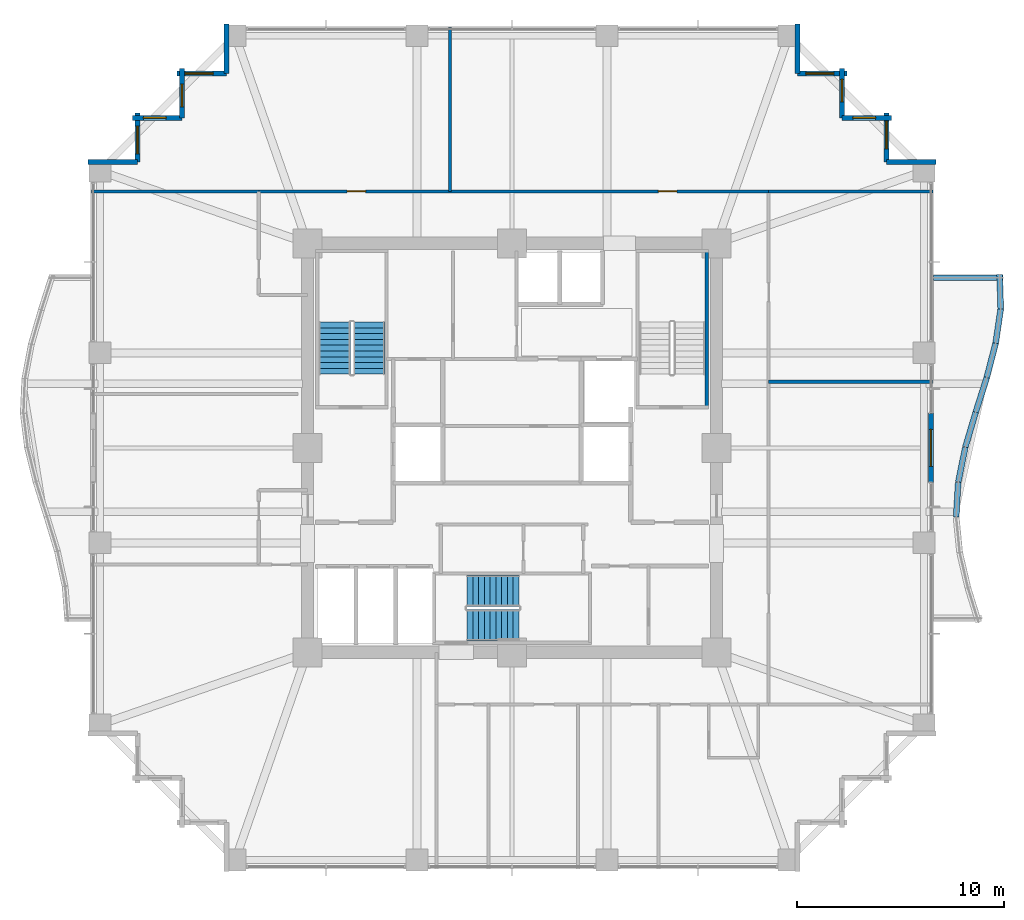
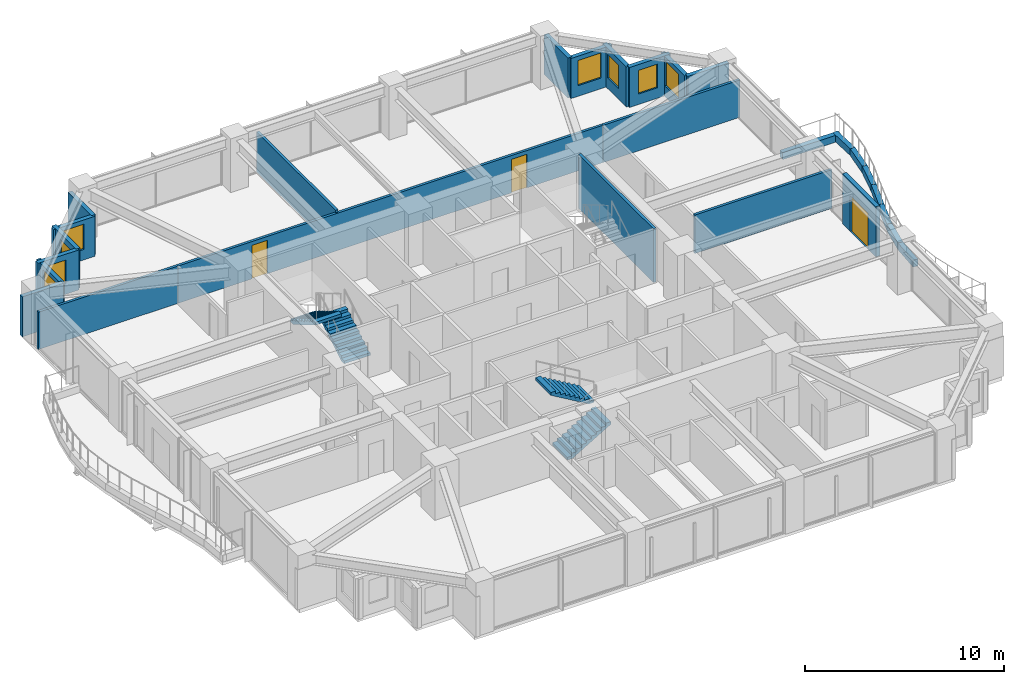
# One storey, part 33 of 36: 27 walls, 8 windows, 4 stair flights, 3 doors, 11 openings, 2 elements without a shape of their own.
"""IFC4 building model written with IfcOpenShell, lengths in metres."""

from ifc_helpers import new_model, si_unit, direction, frame, frame_2d, origin, place, context, subcontext, project, spatial, polyline, rectangle, outline, extrude, material, layer, layer_set, type_object, element, fill, aggregate, save


model = new_model("IFC4")

# Units and contexts
model_context = context("Model", 3, precision=1e-05, world=origin(), true_north=direction((0.0, 1.0)))
body_context = subcontext(model_context, "Body", "Model", "MODEL_VIEW")
ifc_project = project(units=[si_unit("LENGTHUNIT", "METRE"), si_unit("AREAUNIT", "SQUARE_METRE"), si_unit("VOLUMEUNIT", "CUBIC_METRE"), si_unit("PLANEANGLEUNIT", "RADIAN"), si_unit("MASSUNIT", "GRAM", prefix="KILO")], contexts=[model_context])

# Site, building, storey
site_placement = place(None, origin())
site = spatial("IfcSite", under=ifc_project, at=site_placement, CompositionType="ELEMENT")
building_placement = place(site_placement, origin())
building = spatial("IfcBuilding", under=site, at=building_placement, Name="Kolvaren Belvedere", CompositionType="ELEMENT")
storey_placement = place(building_placement, frame((0.0, 0.0, 88.699951171875)))
storey = spatial("IfcBuildingStorey", under=building, at=storey_placement, Name="L25", CompositionType="ELEMENT", Elevation=88.699951171875)

# Wall
ifc_material_1 = material(Name="Concrete C50/60", Category="concrete")
ifc_layer_1 = layer(ifc_material_1, 0.159912109375)
ifc_layer_set_1 = layer_set([ifc_layer_1], Name="Concrete C50/60")
wall_type_1 = type_object("IfcWallType", Name="CW-STAIR-160", PredefinedType="SHEAR", material=ifc_layer_set_1)
wall_1_placement = place(storey_placement, frame((9.429931640625, 1.969970703125, 0.0), z_axis=(0.0, 0.0, 1.0), x_axis=(0.0, 1.0, 0.0)))
element("IfcWall", 1, at=wall_1_placement, inside=storey, type_object=wall_type_1, Name="L25 Stair ST-2 East Shear Wall", PredefinedType="SHEAR", context=body_context, shape_type="SweptSolid", body=[
    extrude(rectangle(XDim=7.56005859375, YDim=0.159912109375, at=frame_2d((3.780029296875, 0.0))), origin(), (0.0, 0.0, 1.0), 3.300048828125),
])

# Wall, openings, doors
ifc_material_2 = material(Name="Gypsum fire-rated partition assembly", Category="gypsum")
ifc_layer_2 = layer(ifc_material_2, 0.14990234375)
ifc_layer_set_2 = layer_set([ifc_layer_2], Name="Gypsum fire-rated partition assembly")
wall_type_2 = type_object("IfcWallType", Name="WL-CORR-150", PredefinedType="PARTITIONING", material=ifc_layer_set_2)
wall_2_placement = place(storey_placement, frame((-12.260009765625, 12.419921875, 0.0), z_axis=(0.0, 0.0, 1.0), x_axis=(1.0, 0.0, 0.0)))
wall_2 = element("IfcWall", 2, at=wall_2_placement, inside=storey, type_object=wall_type_2, Name="L25 North Corridor Wall", PredefinedType="PARTITIONING", context=body_context, shape_type="SweptSolid", body=[
    extrude(rectangle(XDim=24.679931640625, YDim=0.14990234375, at=frame_2d((12.33984375, 0.0))), origin(), (0.0, 0.0, 1.0), 2.2919921875),
])
opening_1_placement = place(wall_2_placement, frame((4.27490234375, 0.0, 0.0)))
opening_1 = element("IfcOpeningElement", 3, at=opening_1_placement, cuts=wall_2, Name="Opening D-INT90", PredefinedType="OPENING", context=body_context, shape_type="SweptSolid", body=[
    extrude(rectangle(XDim=0.89990234375, YDim=2.06005859375, at=frame_2d((0.449951171875, 1.030029296875))), frame((0.0, 0.0849609375, 0.0), z_axis=(0.0, -1.0, 0.0), x_axis=(1.0, 0.0, 0.0)), (0.0, 0.0, 1.0), 0.169921875),
])
opening_2_placement = place(wall_2_placement, frame((19.344970703125, 0.0, 0.0)))
opening_2 = element("IfcOpeningElement", 4, at=opening_2_placement, cuts=wall_2, Name="Opening D-INT90", PredefinedType="OPENING", context=body_context, shape_type="SweptSolid", body=[
    extrude(rectangle(XDim=0.89990234375, YDim=2.06005859375, at=frame_2d((0.449951171875, 1.030029296875))), frame((0.0, 0.0849609375, 0.0), z_axis=(0.0, -1.0, 0.0), x_axis=(1.0, 0.0, 0.0)), (0.0, 0.0, 1.0), 0.169921875),
])
ifc_material_3 = material(Name="Stained Pacific white oak", Category="timber")
door_type_1 = type_object("IfcDoorType", Name="DR-INT-900", OperationType="NOTDEFINED", PredefinedType="DOOR", material=ifc_material_3)
door_1_placement = place(opening_1_placement, origin())
door_1 = element("IfcDoor", 5, at=door_1_placement, inside=storey, type_object=door_type_1, Name="L25 Lounge 2501 Door", OperationType="SINGLE_SWING_RIGHT", OverallHeight=2.06005859375, OverallWidth=0.89990234375, PredefinedType="DOOR", context=body_context, shape_type="SweptSolid", body=[
    extrude(rectangle(XDim=0.89990234375, YDim=2.06005859375, at=frame_2d((0.449951171875, 1.030029296875))), frame((0.0, 0.02490234375, 0.0), z_axis=(0.0, -1.0, 0.0), x_axis=(1.0, 0.0, 0.0)), (0.0, 0.0, 1.0), 0.050048828125),
])
fill(opening_1, door_1)
door_2_placement = place(opening_2_placement, origin())
door_2 = element("IfcDoor", 6, at=door_2_placement, inside=storey, type_object=door_type_1, Name="L25 Lounge 2502 Door", OperationType="SINGLE_SWING_LEFT", OverallHeight=2.06005859375, OverallWidth=0.89990234375, PredefinedType="DOOR", context=body_context, shape_type="SweptSolid", body=[
    extrude(rectangle(XDim=0.89990234375, YDim=2.06005859375, at=frame_2d((0.449951171875, 1.030029296875))), frame((0.0, 0.02490234375, 0.0), z_axis=(0.0, -1.0, 0.0), x_axis=(1.0, 0.0, 0.0)), (0.0, 0.0, 1.0), 0.050048828125),
])
fill(opening_2, door_2)

# Wall, opening, door
ifc_material_4 = material(Name="Insulated pale-metal facade wall assembly", Category="aluminium")
ifc_layer_3 = layer(ifc_material_4, 0.239990234375)
ifc_layer_set_3 = layer_set([ifc_layer_3], Name="Insulated pale-metal facade wall assembly")
wall_type_3 = type_object("IfcWallType", Name="WL-EXT-240", PredefinedType="STANDARD", material=ifc_layer_set_3)
wall_3_placement = place(storey_placement, frame((20.280029296875, 1.679931640625, 0.0), z_axis=(0.0, 0.0, 1.0), x_axis=(0.0, -1.0, 0.0)))
wall_3 = element("IfcWall", 7, at=wall_3_placement, inside=storey, type_object=wall_type_3, Name="L25 East Terrace Portal Wall", PredefinedType="STANDARD", context=body_context, shape_type="SweptSolid", body=[
    extrude(rectangle(XDim=3.35986328125, YDim=0.239990234375, at=frame_2d((1.679931640625, 0.0))), origin(), (0.0, 0.0, 1.0), 3.080078125),
])
opening_3_placement = place(wall_3_placement, frame((0.780029296875, 0.0, 0.0)))
opening_3 = element("IfcOpeningElement", 8, at=opening_3_placement, cuts=wall_3, Name="Opening DB-1800", PredefinedType="OPENING", context=body_context, shape_type="SweptSolid", body=[
    extrude(rectangle(XDim=1.800048828125, YDim=2.199951171875, at=frame_2d((0.89990234375, 1.10009765625))), frame((0.0, 0.1298828125, 0.0), z_axis=(0.0, -1.0, 0.0), x_axis=(1.0, 0.0, 0.0)), (0.0, 0.0, 1.0), 0.260009765625),
])
ifc_material_5 = material(Name="Thermally broken pale-metal aluminium & low-iron glass", Category="aluminium")
door_type_2 = type_object("IfcDoorType", Name="DR-BAL-1800", OperationType="DOUBLE_DOOR_SLIDING", PredefinedType="DOOR", material=ifc_material_5)
door_3_placement = place(opening_3_placement, origin())
door_3 = element("IfcDoor", 9, at=door_3_placement, inside=storey, type_object=door_type_2, Name="L25 East Planted Terrace Sliding Door", OperationType="DOUBLE_DOOR_SLIDING", OverallHeight=2.199951171875, OverallWidth=1.800048828125, PredefinedType="DOOR", context=body_context, shape_type="SweptSolid", body=[
    extrude(rectangle(XDim=1.800048828125, YDim=2.199951171875, at=frame_2d((0.89990234375, 1.10009765625))), frame((0.0, 0.02490234375, 0.0), z_axis=(0.0, -1.0, 0.0), x_axis=(1.0, 0.0, 0.0)), (0.0, 0.0, 1.0), 0.050048828125),
])
fill(opening_3, door_3)

# Wall
wall_4_placement = place(storey_placement, frame((18.1298828125, 13.830078125, 0.0), z_axis=(0.0, 0.0, 1.0), x_axis=(1.0, 0.0, 0.0)))
element("IfcWall", 10, at=wall_4_placement, inside=storey, type_object=wall_type_3, Name="L25 Serrated Corner Facade Wall 9", PredefinedType="STANDARD", context=body_context, shape_type="SweptSolid", body=[
    extrude(rectangle(XDim=2.39013671875, YDim=0.239990234375, at=frame_2d((1.195068359375, 0.0))), origin(), (0.0, 0.0, 1.0), 2.458984375),
])

# Wall, opening, window
wall_5_placement = place(storey_placement, frame((18.1298828125, 16.219970703125, 0.0), z_axis=(0.0, 0.0, 1.0), x_axis=(0.0, -1.0, 0.0)))
wall_5 = element("IfcWall", 11, at=wall_5_placement, inside=storey, type_object=wall_type_3, Name="L25 Serrated Corner Facade Wall 10", PredefinedType="STANDARD", context=body_context, shape_type="SweptSolid", body=[
    extrude(rectangle(XDim=2.389892578125, YDim=0.239990234375, at=frame_2d((1.19482421875, 0.0))), origin(), (0.0, 0.0, 1.0), 2.458984375),
])
opening_4_placement = place(wall_5_placement, frame((0.39990234375, 0.0, 0.64990234375)))
opening_4 = element("IfcOpeningElement", 12, at=opening_4_placement, cuts=wall_5, Name="Opening W-1350", PredefinedType="OPENING", context=body_context, shape_type="SweptSolid", body=[
    extrude(rectangle(XDim=1.35009765625, YDim=1.550048828125, at=frame_2d((0.675048828125, 0.77490234375))), frame((0.0, 0.1298828125, 0.0), z_axis=(0.0, -1.0, 0.0), x_axis=(1.0, 0.0, 0.0)), (0.0, 0.0, 1.0), 0.260009765625),
])
ifc_material_6 = material(Name="Low-iron triple insulated glass", Category="glass")
window_type_1 = type_object("IfcWindowType", Name="WN-CORN-1350", PartitioningType="SINGLE_PANEL", PredefinedType="WINDOW", material=ifc_material_6)
window_1_placement = place(opening_4_placement, origin())
window_1 = element("IfcWindow", 13, at=window_1_placement, inside=storey, type_object=window_type_1, Name="L25 Serrated Corner Vision Window 10", OverallHeight=1.550048828125, OverallWidth=1.35009765625, PartitioningType="SINGLE_PANEL", PredefinedType="WINDOW", context=body_context, shape_type="SweptSolid", body=[
    extrude(rectangle(XDim=1.35009765625, YDim=1.550048828125, at=frame_2d((0.675048828125, 0.77490234375))), frame((0.0, 0.030029296875, 0.0), z_axis=(0.0, -1.0, 0.0), x_axis=(1.0, 0.0, 0.0)), (0.0, 0.0, 1.0), 0.06005859375),
])
fill(opening_4, window_1)

wall_6_placement = place(storey_placement, frame((15.97998046875, 15.97998046875, 0.0), z_axis=(0.0, 0.0, 1.0), x_axis=(1.0, 0.0, 0.0)))
wall_6 = element("IfcWall", 14, at=wall_6_placement, inside=storey, type_object=wall_type_3, Name="L25 Serrated Corner Facade Wall 11", PredefinedType="STANDARD", context=body_context, shape_type="SweptSolid", body=[
    extrude(rectangle(XDim=2.39013671875, YDim=0.239990234375, at=frame_2d((1.195068359375, 0.0))), origin(), (0.0, 0.0, 1.0), 2.458984375),
])
opening_5_placement = place(wall_6_placement, frame((0.52490234375, 0.0, 0.64990234375)))
opening_5 = element("IfcOpeningElement", 15, at=opening_5_placement, cuts=wall_6, Name="Opening W-1100", PredefinedType="OPENING", context=body_context, shape_type="SweptSolid", body=[
    extrude(rectangle(XDim=1.10009765625, YDim=1.449951171875, at=frame_2d((0.550048828125, 0.72509765625))), frame((0.0, 0.1298828125, 0.0), z_axis=(0.0, -1.0, 0.0), x_axis=(1.0, 0.0, 0.0)), (0.0, 0.0, 1.0), 0.260009765625),
])
ifc_material_7 = material(Name="Low-iron triple insulated glass", Category="glass")
window_type_2 = type_object("IfcWindowType", Name="WN-CORN-1100", PartitioningType="SINGLE_PANEL", PredefinedType="WINDOW", material=ifc_material_7)
window_2_placement = place(opening_5_placement, origin())
window_2 = element("IfcWindow", 16, at=window_2_placement, inside=storey, type_object=window_type_2, Name="L25 Serrated Corner Vision Window 11", OverallHeight=1.449951171875, OverallWidth=1.10009765625, PartitioningType="SINGLE_PANEL", PredefinedType="WINDOW", context=body_context, shape_type="SweptSolid", body=[
    extrude(rectangle(XDim=1.10009765625, YDim=1.449951171875, at=frame_2d((0.550048828125, 0.72509765625))), frame((0.0, 0.030029296875, 0.0), z_axis=(0.0, -1.0, 0.0), x_axis=(1.0, 0.0, 0.0)), (0.0, 0.0, 1.0), 0.06005859375),
])
fill(opening_5, window_2)

wall_7_placement = place(storey_placement, frame((15.97998046875, 18.3701171875, 0.0), z_axis=(0.0, 0.0, 1.0), x_axis=(0.0, -1.0, 0.0)))
wall_7 = element("IfcWall", 17, at=wall_7_placement, inside=storey, type_object=wall_type_3, Name="L25 Serrated Corner Facade Wall 12", PredefinedType="STANDARD", context=body_context, shape_type="SweptSolid", body=[
    extrude(rectangle(XDim=2.39013671875, YDim=0.239990234375, at=frame_2d((1.195068359375, 0.0))), origin(), (0.0, 0.0, 1.0), 2.458984375),
])
opening_6_placement = place(wall_7_placement, frame((0.52490234375, 0.0, 0.64990234375)))
opening_6 = element("IfcOpeningElement", 18, at=opening_6_placement, cuts=wall_7, Name="Opening W-1100", PredefinedType="OPENING", context=body_context, shape_type="SweptSolid", body=[
    extrude(rectangle(XDim=1.10009765625, YDim=1.449951171875, at=frame_2d((0.550048828125, 0.72509765625))), frame((0.0, 0.1298828125, 0.0), z_axis=(0.0, -1.0, 0.0), x_axis=(1.0, 0.0, 0.0)), (0.0, 0.0, 1.0), 0.260009765625),
])
window_3_placement = place(opening_6_placement, origin())
window_3 = element("IfcWindow", 19, at=window_3_placement, inside=storey, type_object=window_type_2, Name="L25 Serrated Corner Vision Window 12", OverallHeight=1.449951171875, OverallWidth=1.10009765625, PartitioningType="SINGLE_PANEL", PredefinedType="WINDOW", context=body_context, shape_type="SweptSolid", body=[
    extrude(rectangle(XDim=1.10009765625, YDim=1.449951171875, at=frame_2d((0.550048828125, 0.72509765625))), frame((0.0, 0.030029296875, 0.0), z_axis=(0.0, -1.0, 0.0), x_axis=(1.0, 0.0, 0.0)), (0.0, 0.0, 1.0), 0.06005859375),
])
fill(opening_6, window_3)

wall_8_placement = place(storey_placement, frame((13.830078125, 18.1298828125, 0.0), z_axis=(0.0, 0.0, 1.0), x_axis=(1.0, 0.0, 0.0)))
wall_8 = element("IfcWall", 20, at=wall_8_placement, inside=storey, type_object=wall_type_3, Name="L25 Serrated Corner Facade Wall 13", PredefinedType="STANDARD", context=body_context, shape_type="SweptSolid", body=[
    extrude(rectangle(XDim=2.389892578125, YDim=0.239990234375, at=frame_2d((1.19482421875, 0.0))), origin(), (0.0, 0.0, 1.0), 2.458984375),
])
opening_7_placement = place(wall_8_placement, frame((0.39990234375, 0.0, 0.64990234375)))
opening_7 = element("IfcOpeningElement", 21, at=opening_7_placement, cuts=wall_8, Name="Opening W-1350", PredefinedType="OPENING", context=body_context, shape_type="SweptSolid", body=[
    extrude(rectangle(XDim=1.35009765625, YDim=1.550048828125, at=frame_2d((0.675048828125, 0.77490234375))), frame((0.0, 0.1298828125, 0.0), z_axis=(0.0, -1.0, 0.0), x_axis=(1.0, 0.0, 0.0)), (0.0, 0.0, 1.0), 0.260009765625),
])
window_4_placement = place(opening_7_placement, origin())
window_4 = element("IfcWindow", 22, at=window_4_placement, inside=storey, type_object=window_type_1, Name="L25 Serrated Corner Vision Window 13", OverallHeight=1.550048828125, OverallWidth=1.35009765625, PartitioningType="SINGLE_PANEL", PredefinedType="WINDOW", context=body_context, shape_type="SweptSolid", body=[
    extrude(rectangle(XDim=1.35009765625, YDim=1.550048828125, at=frame_2d((0.675048828125, 0.77490234375))), frame((0.0, 0.030029296875, 0.0), z_axis=(0.0, -1.0, 0.0), x_axis=(1.0, 0.0, 0.0)), (0.0, 0.0, 1.0), 0.06005859375),
])
fill(opening_7, window_4)

# Walls
for number, where, z_axis, x_axis, name in (
    (23, (13.830078125, 20.52001953125, 0.0), (0.0, 0.0, 1.0), (0.0, -1.0, 0.0), "L25 Serrated Corner Facade Wall 14"),
    (24, (-13.830078125, 18.1298828125, 0.0), (0.0, 0.0, 1.0), (0.0, 1.0, 0.0), "L25 Serrated Corner Facade Wall 16"),
):
    element("IfcWall", number, at=place(storey_placement, frame(where, z_axis=z_axis, x_axis=x_axis)), inside=storey, type_object=wall_type_3, Name=name, PredefinedType="STANDARD", context=body_context, shape_type="SweptSolid", body=[
        extrude(rectangle(XDim=2.39013671875, YDim=0.239990234375, at=frame_2d((1.195068359375, 0.0))), origin(), (0.0, 0.0, 1.0), 2.458984375),
    ])

# Wall, opening, window
wall_9_placement = place(storey_placement, frame((-16.219970703125, 18.1298828125, 0.0), z_axis=(0.0, 0.0, 1.0), x_axis=(1.0, 0.0, 0.0)))
wall_9 = element("IfcWall", 25, at=wall_9_placement, inside=storey, type_object=wall_type_3, Name="L25 Serrated Corner Facade Wall 17", PredefinedType="STANDARD", context=body_context, shape_type="SweptSolid", body=[
    extrude(rectangle(XDim=2.389892578125, YDim=0.239990234375, at=frame_2d((1.19482421875, 0.0))), origin(), (0.0, 0.0, 1.0), 2.458984375),
])
opening_8_placement = place(wall_9_placement, frame((0.39990234375, 0.0, 0.64990234375)))
opening_8 = element("IfcOpeningElement", 26, at=opening_8_placement, cuts=wall_9, Name="Opening W-1350", PredefinedType="OPENING", context=body_context, shape_type="SweptSolid", body=[
    extrude(rectangle(XDim=1.35009765625, YDim=1.550048828125, at=frame_2d((0.675048828125, 0.77490234375))), frame((0.0, 0.1298828125, 0.0), z_axis=(0.0, -1.0, 0.0), x_axis=(1.0, 0.0, 0.0)), (0.0, 0.0, 1.0), 0.260009765625),
])
window_5_placement = place(opening_8_placement, origin())
window_5 = element("IfcWindow", 27, at=window_5_placement, inside=storey, type_object=window_type_1, Name="L25 Serrated Corner Vision Window 17", OverallHeight=1.550048828125, OverallWidth=1.35009765625, PartitioningType="SINGLE_PANEL", PredefinedType="WINDOW", context=body_context, shape_type="SweptSolid", body=[
    extrude(rectangle(XDim=1.35009765625, YDim=1.550048828125, at=frame_2d((0.675048828125, 0.77490234375))), frame((0.0, 0.030029296875, 0.0), z_axis=(0.0, -1.0, 0.0), x_axis=(1.0, 0.0, 0.0)), (0.0, 0.0, 1.0), 0.06005859375),
])
fill(opening_8, window_5)

wall_10_placement = place(storey_placement, frame((-15.97998046875, 15.97998046875, 0.0), z_axis=(0.0, 0.0, 1.0), x_axis=(0.0, 1.0, 0.0)))
wall_10 = element("IfcWall", 28, at=wall_10_placement, inside=storey, type_object=wall_type_3, Name="L25 Serrated Corner Facade Wall 18", PredefinedType="STANDARD", context=body_context, shape_type="SweptSolid", body=[
    extrude(rectangle(XDim=2.39013671875, YDim=0.239990234375, at=frame_2d((1.195068359375, 0.0))), origin(), (0.0, 0.0, 1.0), 2.458984375),
])
opening_9_placement = place(wall_10_placement, frame((0.52490234375, 0.0, 0.64990234375)))
opening_9 = element("IfcOpeningElement", 29, at=opening_9_placement, cuts=wall_10, Name="Opening W-1100", PredefinedType="OPENING", context=body_context, shape_type="SweptSolid", body=[
    extrude(rectangle(XDim=1.10009765625, YDim=1.449951171875, at=frame_2d((0.550048828125, 0.72509765625))), frame((0.0, 0.1298828125, 0.0), z_axis=(0.0, -1.0, 0.0), x_axis=(1.0, 0.0, 0.0)), (0.0, 0.0, 1.0), 0.260009765625),
])
window_6_placement = place(opening_9_placement, origin())
window_6 = element("IfcWindow", 30, at=window_6_placement, inside=storey, type_object=window_type_2, Name="L25 Serrated Corner Vision Window 18", OverallHeight=1.449951171875, OverallWidth=1.10009765625, PartitioningType="SINGLE_PANEL", PredefinedType="WINDOW", context=body_context, shape_type="SweptSolid", body=[
    extrude(rectangle(XDim=1.10009765625, YDim=1.449951171875, at=frame_2d((0.550048828125, 0.72509765625))), frame((0.0, 0.030029296875, 0.0), z_axis=(0.0, -1.0, 0.0), x_axis=(1.0, 0.0, 0.0)), (0.0, 0.0, 1.0), 0.06005859375),
])
fill(opening_9, window_6)

wall_11_placement = place(storey_placement, frame((-18.3701171875, 15.97998046875, 0.0), z_axis=(0.0, 0.0, 1.0), x_axis=(1.0, 0.0, 0.0)))
wall_11 = element("IfcWall", 31, at=wall_11_placement, inside=storey, type_object=wall_type_3, Name="L25 Serrated Corner Facade Wall 19", PredefinedType="STANDARD", context=body_context, shape_type="SweptSolid", body=[
    extrude(rectangle(XDim=2.39013671875, YDim=0.239990234375, at=frame_2d((1.195068359375, 0.0))), origin(), (0.0, 0.0, 1.0), 2.458984375),
])
opening_10_placement = place(wall_11_placement, frame((0.52490234375, 0.0, 0.64990234375)))
opening_10 = element("IfcOpeningElement", 32, at=opening_10_placement, cuts=wall_11, Name="Opening W-1100", PredefinedType="OPENING", context=body_context, shape_type="SweptSolid", body=[
    extrude(rectangle(XDim=1.10009765625, YDim=1.449951171875, at=frame_2d((0.550048828125, 0.72509765625))), frame((0.0, 0.1298828125, 0.0), z_axis=(0.0, -1.0, 0.0), x_axis=(1.0, 0.0, 0.0)), (0.0, 0.0, 1.0), 0.260009765625),
])
window_7_placement = place(opening_10_placement, origin())
window_7 = element("IfcWindow", 33, at=window_7_placement, inside=storey, type_object=window_type_2, Name="L25 Serrated Corner Vision Window 19", OverallHeight=1.449951171875, OverallWidth=1.10009765625, PartitioningType="SINGLE_PANEL", PredefinedType="WINDOW", context=body_context, shape_type="SweptSolid", body=[
    extrude(rectangle(XDim=1.10009765625, YDim=1.449951171875, at=frame_2d((0.550048828125, 0.72509765625))), frame((0.0, 0.030029296875, 0.0), z_axis=(0.0, -1.0, 0.0), x_axis=(1.0, 0.0, 0.0)), (0.0, 0.0, 1.0), 0.06005859375),
])
fill(opening_10, window_7)

wall_12_placement = place(storey_placement, frame((-18.1298828125, 13.830078125, 0.0), z_axis=(0.0, 0.0, 1.0), x_axis=(0.0, 1.0, 0.0)))
wall_12 = element("IfcWall", 34, at=wall_12_placement, inside=storey, type_object=wall_type_3, Name="L25 Serrated Corner Facade Wall 20", PredefinedType="STANDARD", context=body_context, shape_type="SweptSolid", body=[
    extrude(rectangle(XDim=2.389892578125, YDim=0.239990234375, at=frame_2d((1.19482421875, 0.0))), origin(), (0.0, 0.0, 1.0), 2.458984375),
])
opening_11_placement = place(wall_12_placement, frame((0.39990234375, 0.0, 0.64990234375)))
opening_11 = element("IfcOpeningElement", 35, at=opening_11_placement, cuts=wall_12, Name="Opening W-1350", PredefinedType="OPENING", context=body_context, shape_type="SweptSolid", body=[
    extrude(rectangle(XDim=1.35009765625, YDim=1.550048828125, at=frame_2d((0.675048828125, 0.77490234375))), frame((0.0, 0.1298828125, 0.0), z_axis=(0.0, -1.0, 0.0), x_axis=(1.0, 0.0, 0.0)), (0.0, 0.0, 1.0), 0.260009765625),
])
window_8_placement = place(opening_11_placement, origin())
window_8 = element("IfcWindow", 36, at=window_8_placement, inside=storey, type_object=window_type_1, Name="L25 Serrated Corner Vision Window 20", OverallHeight=1.550048828125, OverallWidth=1.35009765625, PartitioningType="SINGLE_PANEL", PredefinedType="WINDOW", context=body_context, shape_type="SweptSolid", body=[
    extrude(rectangle(XDim=1.35009765625, YDim=1.550048828125, at=frame_2d((0.675048828125, 0.77490234375))), frame((0.0, 0.030029296875, 0.0), z_axis=(0.0, -1.0, 0.0), x_axis=(1.0, 0.0, 0.0)), (0.0, 0.0, 1.0), 0.06005859375),
])
fill(opening_11, window_8)

# Walls
wall_13_placement = place(storey_placement, frame((-20.52001953125, 13.830078125, 0.0), z_axis=(0.0, 0.0, 1.0), x_axis=(1.0, 0.0, 0.0)))
element("IfcWall", 37, at=wall_13_placement, inside=storey, type_object=wall_type_3, Name="L25 Serrated Corner Facade Wall 21", PredefinedType="STANDARD", context=body_context, shape_type="SweptSolid", body=[
    extrude(rectangle(XDim=2.39013671875, YDim=0.239990234375, at=frame_2d((1.195068359375, 0.0))), origin(), (0.0, 0.0, 1.0), 2.458984375),
])
ifc_material_8 = material(Name="Gypsum acoustic partition assembly", Category="gypsum")
ifc_layer_4 = layer(ifc_material_8, 0.14990234375)
ifc_layer_set_4 = layer_set([ifc_layer_4], Name="Gypsum acoustic partition assembly")
wall_type_4 = type_object("IfcWallType", Name="WL-PART-150", PredefinedType="PARTITIONING", material=ifc_layer_set_4)
wall_14_placement = place(storey_placement, frame((-20.3798828125, 12.419921875, 0.0), z_axis=(0.0, 0.0, 1.0), x_axis=(1.0, 0.0, 0.0)))
element("IfcWall", 38, at=wall_14_placement, inside=storey, type_object=wall_type_4, Name="L25 Wing Divider PW-L25-QNW", PredefinedType="PARTITIONING", context=body_context, shape_type="SweptSolid", body=[
    extrude(rectangle(XDim=8.119873046875, YDim=0.14990234375, at=frame_2d((4.06005859375, 0.0))), origin(), (0.0, 0.0, 1.0), 2.2919921875),
])
wall_15_placement = place(storey_placement, frame((12.419921875, 12.419921875, 0.0), z_axis=(0.0, 0.0, 1.0), x_axis=(1.0, 0.0, 0.0)))
element("IfcWall", 39, at=wall_15_placement, inside=storey, type_object=wall_type_4, Name="L25 Wing Divider PW-L25-QNE", PredefinedType="PARTITIONING", context=body_context, shape_type="SweptSolid", body=[
    extrude(rectangle(XDim=7.9599609375, YDim=0.14990234375, at=frame_2d((3.97998046875, 0.0))), origin(), (0.0, 0.0, 1.0), 2.2919921875),
])
wall_16_placement = place(storey_placement, frame((-3.0, 12.419921875, 0.0), z_axis=(0.0, 0.0, 1.0), x_axis=(0.0, 1.0, 0.0)))
element("IfcWall", 40, at=wall_16_placement, inside=storey, type_object=wall_type_4, Name="L25 North Suite Demising Wall 1", PredefinedType="PARTITIONING", context=body_context, shape_type="SweptSolid", body=[
    extrude(rectangle(XDim=7.9599609375, YDim=0.14990234375, at=frame_2d((3.97998046875, 0.0))), origin(), (0.0, 0.0, 1.0), 2.448974609375),
])
wall_17_placement = place(storey_placement, frame((12.419921875, 3.199951171875, 0.0), z_axis=(0.0, 0.0, 1.0), x_axis=(1.0, 0.0, 0.0)))
element("IfcWall", 41, at=wall_17_placement, inside=storey, type_object=wall_type_4, Name="L25 East Suite Demising Wall 1", PredefinedType="PARTITIONING", context=body_context, shape_type="SweptSolid", body=[
    extrude(rectangle(XDim=7.9599609375, YDim=0.14990234375, at=frame_2d((3.97998046875, 0.0))), origin(), (0.0, 0.0, 1.0), 2.369140625),
])
ifc_material_9 = material(Name="Precast concrete C40/50", Category="concrete")
ifc_layer_5 = layer(ifc_material_9, 0.300048828125)
ifc_layer_set_5 = layer_set([ifc_layer_5], Name="Precast concrete C40/50")
wall_type_5 = type_object("IfcWallType", Name="WL-PLANTER-300", PredefinedType="PARAPET", material=ifc_layer_set_5)
wall_18_placement = place(storey_placement, frame((21.50244140625, -3.350341796875, -0.0400390625), z_axis=(0.0, 0.0, 1.0), x_axis=(0.059767979379, 0.998212296378, 0.0)))
element("IfcWall", 42, at=wall_18_placement, inside=storey, type_object=wall_type_5, Name="L25 Precast Structural Planter Wall BAL-E-4", PredefinedType="PARAPET", context=body_context, shape_type="SweptSolid", body=[
    extrude(rectangle(XDim=1.682861328125, YDim=0.280029296875, at=frame_2d((0.84130859375, 0.0))), origin(), (0.0, 0.0, 1.0), 0.420166015625),
])
wall_19_placement = place(storey_placement, frame((21.60595703125, -1.64794921875, -0.0400390625), z_axis=(0.0, 0.0, 1.0), x_axis=(0.199784246163, 0.979839912937, 0.0)))
element("IfcWall", 43, at=wall_19_placement, inside=storey, type_object=wall_type_5, Name="L25 Precast Structural Planter Wall BAL-E-5", PredefinedType="PARAPET", context=body_context, shape_type="SweptSolid", body=[
    extrude(rectangle(XDim=1.714599609375, YDim=0.280029296875, at=frame_2d((0.857421875, 0.0))), origin(), (0.0, 0.0, 1.0), 0.420166015625),
])
wall_20_placement = place(storey_placement, frame((21.951904296875, 0.045654296875, -0.0400390625), z_axis=(0.0, 0.0, 1.0), x_axis=(0.284880325779, 0.95856309129, 0.0)))
element("IfcWall", 44, at=wall_20_placement, inside=storey, type_object=wall_type_5, Name="L25 Precast Structural Planter Wall BAL-E-6", PredefinedType="PARAPET", context=body_context, shape_type="SweptSolid", body=[
    extrude(rectangle(XDim=1.75244140625, YDim=0.280029296875, at=frame_2d((0.876220703125, 0.0))), origin(), (0.0, 0.0, 1.0), 0.420166015625),
])
wall_21_placement = place(storey_placement, frame((22.4521484375, 1.728515625, -0.0400390625), z_axis=(0.0, 0.0, 1.0), x_axis=(0.302397356111, 0.953181954832, 0.0)))
element("IfcWall", 45, at=wall_21_placement, inside=storey, type_object=wall_type_5, Name="L25 Precast Structural Planter Wall BAL-E-7", PredefinedType="PARAPET", context=body_context, shape_type="SweptSolid", body=[
    extrude(rectangle(XDim=1.762451171875, YDim=0.280029296875, at=frame_2d((0.88134765625, 0.0))), origin(), (0.0, 0.0, 1.0), 0.420166015625),
])
wall_22_placement = place(storey_placement, frame((22.982666015625, 3.400146484375, -0.0400390625), z_axis=(0.0, 0.0, 1.0), x_axis=(0.250439664624, 0.968132209145, 0.0)))
element("IfcWall", 46, at=wall_22_placement, inside=storey, type_object=wall_type_5, Name="L25 Precast Structural Planter Wall BAL-E-8", PredefinedType="PARAPET", context=body_context, shape_type="SweptSolid", body=[
    extrude(rectangle(XDim=1.7353515625, YDim=0.280029296875, at=frame_2d((0.86767578125, 0.0))), origin(), (0.0, 0.0, 1.0), 0.420166015625),
])
wall_23_placement = place(storey_placement, frame((23.413818359375, 5.063232421875, -0.0400390625), z_axis=(0.0, 0.0, 1.0), x_axis=(0.145907826437, 0.98929818871, 0.0)))
element("IfcWall", 47, at=wall_23_placement, inside=storey, type_object=wall_type_5, Name="L25 Precast Structural Planter Wall BAL-E-9", PredefinedType="PARAPET", context=body_context, shape_type="SweptSolid", body=[
    extrude(rectangle(XDim=1.6982421875, YDim=0.280029296875, at=frame_2d((0.84912109375, 0.0))), origin(), (0.0, 0.0, 1.0), 0.420166015625),
])
wall_24_placement = place(storey_placement, frame((23.66015625, 6.715087890625, -0.0400390625), z_axis=(0.0, 0.0, 1.0), x_axis=(-0.031520443874, 0.999503107358, 0.0)))
element("IfcWall", 48, at=wall_24_placement, inside=storey, type_object=wall_type_5, Name="L25 Precast Structural Planter Wall BAL-E-10", PredefinedType="PARAPET", context=body_context, shape_type="SweptSolid", body=[
    extrude(rectangle(XDim=1.6806640625, YDim=0.280029296875, at=frame_2d((0.84033203125, 0.0))), origin(), (0.0, 0.0, 1.0), 0.420166015625),
])
wall_25_placement = place(storey_placement, frame((23.76708984375, 8.239990234375, -0.0400390625), z_axis=(0.0, 0.0, 1.0), x_axis=(-1.0, 0.0, 0.0)))
element("IfcWall", 49, at=wall_25_placement, inside=storey, type_object=wall_type_5, Name="L25 Precast Structural Planter Wall BAL-E-11", PredefinedType="PARAPET", context=body_context, shape_type="SweptSolid", body=[
    extrude(rectangle(XDim=3.3671875, YDim=0.280029296875, at=frame_2d((1.68359375, 0.0))), origin(), (0.0, 0.0, 1.0), 0.420166015625),
])

# Stair, stair flights
ifc_material_10 = material(Name="Concrete C50/60", Category="concrete")
stair_type = type_object("IfcStairType", Name="ST-CORE-1520", PredefinedType="HALF_TURN_STAIR", material=ifc_material_10)
stair_1_placement = place(storey_placement, origin())
stair_1 = element("IfcStair", 50, at=stair_1_placement, inside=storey, type_object=stair_type, Name="L25 Protected Exit Stair ST-1", PredefinedType="HALF_TURN_STAIR")
ifc_material_11 = material(Name="Concrete C50/60", Category="concrete")
stair_flight_type = type_object("IfcStairFlightType", Name="SF-STR-1520", PredefinedType="STRAIGHT", material=ifc_material_11)
stair_flight_1_placement = place(storey_placement, frame((-6.919921875, 3.570068359375, 0.0), z_axis=(0.0, 0.0, 1.0), x_axis=(0.0, 1.0, 0.0)))
stair_flight_1 = element("IfcStairFlight", 51, at=stair_flight_1_placement, type_object=stair_flight_type, Name="ST-1 flight 1", NumberOfRisers=10, NumberOfTreads=9, PredefinedType="STRAIGHT", RiserHeight=0.165, TreadLength=0.28, context=body_context, shape_type="SweptSolid", body=[
    extrude(outline(polyline([(0.0, 0.0), (0.0, 0.1650390625), (0.280029296875, 0.1650390625), (0.280029296875, 0.330078125), (0.56005859375, 0.330078125), (0.56005859375, 0.4951171875), (0.840087890625, 0.4951171875), (0.840087890625, 0.659912109375), (1.1201171875, 0.659912109375), (1.1201171875, 0.824951171875), (1.39990234375, 0.824951171875), (1.39990234375, 0.989990234375), (1.679931640625, 0.989990234375), (1.679931640625, 1.155029296875), (1.9599609375, 1.155029296875), (1.9599609375, 1.320068359375), (2.239990234375, 1.320068359375), (2.239990234375, 1.485107421875), (2.52001953125, 1.485107421875), (2.52001953125, 1.64990234375), (2.52001953125, 1.31103515625), (0.295166015625, 0.0), (0.0, 0.0)])), frame((0.0, 0.760009765625, 0.0), z_axis=(0.0, -1.0, 0.0), x_axis=(1.0, 0.0, 0.0)), (0.0, 0.0, 1.0), 1.52001953125),
])
stair_flight_2_placement = place(storey_placement, frame((-8.590087890625, 6.090087890625, 1.650146484375), z_axis=(0.0, 0.0, 1.0), x_axis=(0.0, -1.0, 0.0)))
stair_flight_2 = element("IfcStairFlight", 52, at=stair_flight_2_placement, type_object=stair_flight_type, Name="ST-1 flight 2", NumberOfRisers=10, NumberOfTreads=9, PredefinedType="STRAIGHT", RiserHeight=0.165, TreadLength=0.28, context=body_context, shape_type="SweptSolid", body=[
    extrude(outline(polyline([(0.0, 0.0), (0.0, 0.1650390625), (0.280029296875, 0.1650390625), (0.280029296875, 0.330078125), (0.56005859375, 0.330078125), (0.56005859375, 0.4951171875), (0.840087890625, 0.4951171875), (0.840087890625, 0.659912109375), (1.1201171875, 0.659912109375), (1.1201171875, 0.824951171875), (1.39990234375, 0.824951171875), (1.39990234375, 0.989990234375), (1.679931640625, 0.989990234375), (1.679931640625, 1.155029296875), (1.9599609375, 1.155029296875), (1.9599609375, 1.320068359375), (2.239990234375, 1.320068359375), (2.239990234375, 1.485107421875), (2.52001953125, 1.485107421875), (2.52001953125, 1.64990234375), (2.52001953125, 1.31103515625), (0.295166015625, 0.0), (0.0, 0.0)])), frame((0.0, 0.760009765625, 0.0), z_axis=(0.0, -1.0, 0.0), x_axis=(1.0, 0.0, 0.0)), (0.0, 0.0, 1.0), 1.52001953125),
])
aggregate(stair_1, [stair_flight_1, stair_flight_2])

stair_2_placement = place(storey_placement, origin())
stair_2 = element("IfcStair", 53, at=stair_2_placement, inside=storey, type_object=stair_type, Name="L25 Protected Exit Stair ST-3", PredefinedType="HALF_TURN_STAIR")
stair_flight_3_placement = place(storey_placement, frame((-2.179931640625, -8.590087890625, 0.0), z_axis=(0.0, 0.0, 1.0), x_axis=(1.0, 0.0, 0.0)))
stair_flight_3 = element("IfcStairFlight", 54, at=stair_flight_3_placement, type_object=stair_flight_type, Name="ST-3 flight 1", NumberOfRisers=10, NumberOfTreads=9, PredefinedType="STRAIGHT", RiserHeight=0.165, TreadLength=0.28, context=body_context, shape_type="SweptSolid", body=[
    extrude(outline(polyline([(0.0, 0.0), (0.0, 0.1650390625), (0.280029296875, 0.1650390625), (0.280029296875, 0.330078125), (0.56005859375, 0.330078125), (0.56005859375, 0.4951171875), (0.840087890625, 0.4951171875), (0.840087890625, 0.659912109375), (1.1201171875, 0.659912109375), (1.1201171875, 0.824951171875), (1.39990234375, 0.824951171875), (1.39990234375, 0.989990234375), (1.679931640625, 0.989990234375), (1.679931640625, 1.155029296875), (1.9599609375, 1.155029296875), (1.9599609375, 1.320068359375), (2.239990234375, 1.320068359375), (2.239990234375, 1.485107421875), (2.52001953125, 1.485107421875), (2.52001953125, 1.64990234375), (2.52001953125, 1.31103515625), (0.295166015625, 0.0), (0.0, 0.0)])), frame((0.0, 0.760009765625, 0.0), z_axis=(0.0, -1.0, 0.0), x_axis=(1.0, 0.0, 0.0)), (0.0, 0.0, 1.0), 1.52001953125),
])
stair_flight_4_placement = place(storey_placement, frame((0.340087890625, -6.919921875, 1.650146484375), z_axis=(0.0, 0.0, 1.0), x_axis=(-1.0, 0.0, 0.0)))
stair_flight_4 = element("IfcStairFlight", 55, at=stair_flight_4_placement, type_object=stair_flight_type, Name="ST-3 flight 2", NumberOfRisers=10, NumberOfTreads=9, PredefinedType="STRAIGHT", RiserHeight=0.165, TreadLength=0.28, context=body_context, shape_type="SweptSolid", body=[
    extrude(outline(polyline([(0.0, 0.0), (0.0, 0.1650390625), (0.280029296875, 0.1650390625), (0.280029296875, 0.330078125), (0.56005859375, 0.330078125), (0.56005859375, 0.4951171875), (0.840087890625, 0.4951171875), (0.840087890625, 0.659912109375), (1.1201171875, 0.659912109375), (1.1201171875, 0.824951171875), (1.39990234375, 0.824951171875), (1.39990234375, 0.989990234375), (1.679931640625, 0.989990234375), (1.679931640625, 1.155029296875), (1.9599609375, 1.155029296875), (1.9599609375, 1.320068359375), (2.239990234375, 1.320068359375), (2.239990234375, 1.485107421875), (2.52001953125, 1.485107421875), (2.52001953125, 1.64990234375), (2.52001953125, 1.31103515625), (0.295166015625, 0.0), (0.0, 0.0)])), frame((0.0, 0.760009765625, 0.0), z_axis=(0.0, -1.0, 0.0), x_axis=(1.0, 0.0, 0.0)), (0.0, 0.0, 1.0), 1.52001953125),
])
aggregate(stair_2, [stair_flight_3, stair_flight_4])

save(model, "model.ifc")
